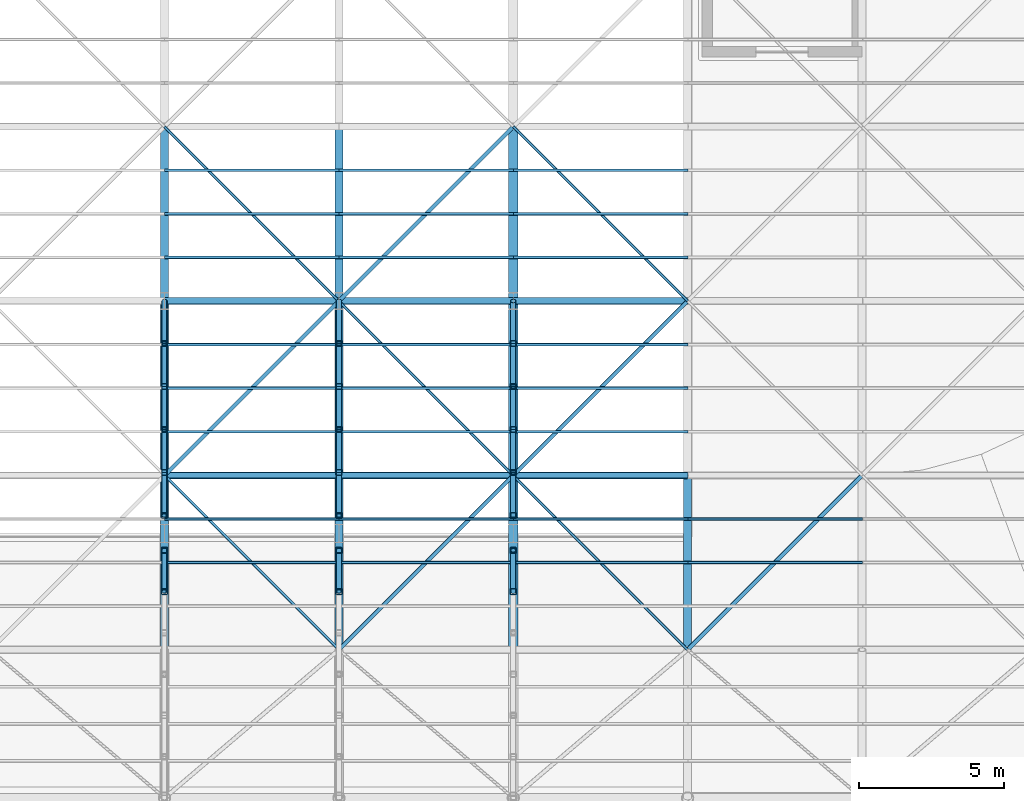
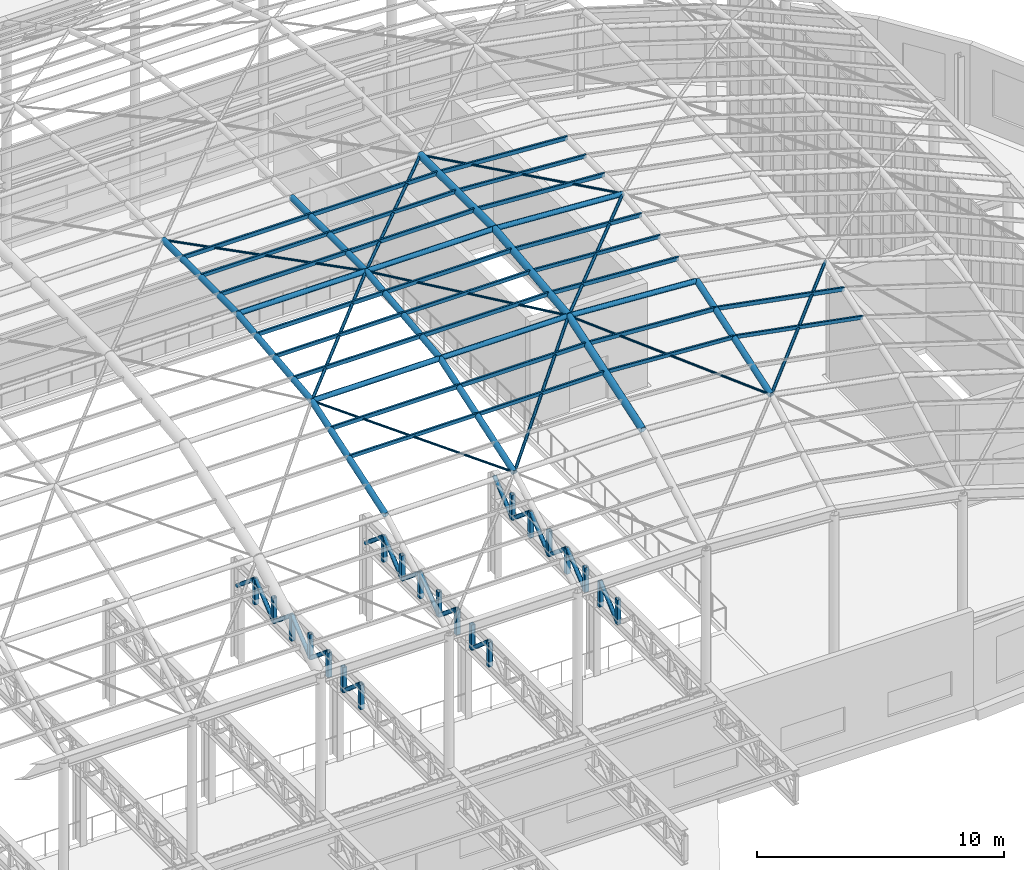
# One storey, part 32 of 75: 91 members.
"""IFC4 building model written with IfcOpenShell, lengths in metres."""

from ifc_helpers import new_model, si_unit, direction, frame, origin, origin_2d, place, context, subcontext, project, spatial, hollow_rectangle, hollow_circle, extrude, material, material_profile, profile_set, type_object, element, save


model = new_model("IFC4")

# Units and contexts
model_context = context("Model", 3, precision=1e-05, world=origin(), true_north=direction((0.0, 1.0)))
body_context = subcontext(model_context, "Body", "Model", "MODEL_VIEW")
ifc_project = project(units=[si_unit("LENGTHUNIT", "METRE"), si_unit("AREAUNIT", "SQUARE_METRE"), si_unit("VOLUMEUNIT", "CUBIC_METRE"), si_unit("PLANEANGLEUNIT", "RADIAN"), si_unit("MASSUNIT", "GRAM", prefix="KILO")], contexts=[model_context])

# Site, building, storey
site_placement = place(None, origin())
site = spatial("IfcSite", under=ifc_project, at=site_placement, CompositionType="ELEMENT")
building_placement = place(site_placement, origin())
building = spatial("IfcBuilding", under=site, at=building_placement, Name="Kolvaren Corner Interchange", CompositionType="ELEMENT")
storey_placement = place(building_placement, frame((0.0, 0.0, 10.5)))
storey = spatial("IfcBuildingStorey", under=building, at=storey_placement, Name="L03", CompositionType="ELEMENT", Elevation=10.5)

# Members
ifc_material_1 = material(Name="Steel S355", Category="steel")
ifc_material_profile_1 = material_profile(ifc_material_1, hollow_circle(Radius=0.05078125, WallThickness=0.00634765625, at=origin_2d()), Name="CHS 101.6x6.3")
ifc_profile_set_1 = profile_set([ifc_material_profile_1], Name="Steel S355")
member_type_1 = type_object("IfcMemberType", Name="MEM-BR-CHS102", PredefinedType="BRACE", material=ifc_profile_set_1)
member_1_placement = place(storey_placement, frame((96.0, 36.0, 16.4130859375), z_axis=(0.688247201612, -0.688247201612, -0.229415733871), x_axis=(0.707106781187, 0.707106781187, 0.0)))
element("IfcMember", 1, at=member_1_placement, inside=storey, type_object=member_type_1, Name="Concourse Translational Gridshell Nodal Diagonal Brace 0066", PredefinedType="BRACE", context=body_context, shape_type="SweptSolid", body=[
    extrude(hollow_circle(Radius=0.05078125, WallThickness=0.00634765625, at=origin_2d()), origin(), (0.0, 0.0, 1.0), 8.7177734375),
])
member_2_placement = place(storey_placement, frame((96.0, 48.0, 17.080078125), z_axis=(0.707106781187, -0.707106781187, 0.0), x_axis=(0.707106781187, 0.707106781187, 0.0)))
element("IfcMember", 2, at=member_2_placement, inside=storey, type_object=member_type_1, Name="Concourse Translational Gridshell Nodal Diagonal Brace 0068", PredefinedType="BRACE", context=body_context, shape_type="SweptSolid", body=[
    extrude(hollow_circle(Radius=0.05078125, WallThickness=0.00634765625, at=origin_2d()), origin(), (0.0, 0.0, 1.0), 8.4853515625),
])
member_3_placement = place(storey_placement, frame((102.0, 42.0, 17.080078125), z_axis=(0.704932292788, -0.704932292788, -0.078364055334), x_axis=(0.707106781187, 0.707106781187, 0.0)))
element("IfcMember", 3, at=member_3_placement, inside=storey, type_object=member_type_1, Name="Concourse Translational Gridshell Nodal Diagonal Brace 0075", PredefinedType="BRACE", context=body_context, shape_type="SweptSolid", body=[
    extrude(hollow_circle(Radius=0.05078125, WallThickness=0.00634765625, at=origin_2d()), origin(), (0.0, 0.0, 1.0), 8.511474609375),
])
member_4_placement = place(storey_placement, frame((108.0, 36.0, 16.4130859375), z_axis=(0.680936695779, -0.680936695779, -0.269537442079), x_axis=(0.707106781187, 0.707106781187, 0.0)))
element("IfcMember", 4, at=member_4_placement, inside=storey, type_object=member_type_1, Name="Concourse Translational Gridshell Nodal Diagonal Brace 0082", PredefinedType="BRACE", context=body_context, shape_type="SweptSolid", body=[
    extrude(hollow_circle(Radius=0.05078125, WallThickness=0.00634765625, at=origin_2d()), origin(), (0.0, 0.0, 1.0), 8.811279296875),
])
member_5_placement = place(storey_placement, frame((108.0, 48.0, 17.080078125), z_axis=(0.706417257101, -0.706417257101, -0.044151078569), x_axis=(0.707106781187, 0.707106781187, 0.0)))
element("IfcMember", 5, at=member_5_placement, inside=storey, type_object=member_type_1, Name="Concourse Translational Gridshell Nodal Diagonal Brace 0084", PredefinedType="BRACE", context=body_context, shape_type="SweptSolid", body=[
    extrude(hollow_circle(Radius=0.05078125, WallThickness=0.00634765625, at=origin_2d()), origin(), (0.0, 0.0, 1.0), 8.49365234375),
])
ifc_material_2 = material(Name="Steel S355", Category="steel")
ifc_material_profile_2 = material_profile(ifc_material_2, hollow_circle(Radius=0.06982421875, WallThickness=0.008056640625, at=origin_2d()), Name="CHS 139.7x8.0")
ifc_profile_set_2 = profile_set([ifc_material_profile_2], Name="Steel S355")
member_type_2 = type_object("IfcMemberType", Name="MEM-BR-CHS140", PredefinedType="BRACE", material=ifc_profile_set_2)
member_6_placement = place(storey_placement, frame((96.0, 36.0, 16.4130859375), z_axis=(0.704932292788, 0.704932292788, 0.078364055334), x_axis=(-0.707106781187, 0.707106781187, 0.0)))
element("IfcMember", 6, at=member_6_placement, inside=storey, type_object=member_type_2, Name="Concourse Translational Gridshell Nodal Diagonal Brace 0067", PredefinedType="BRACE", context=body_context, shape_type="SweptSolid", body=[
    extrude(hollow_circle(Radius=0.06982421875, WallThickness=0.008056640625, at=origin_2d()), origin(), (0.0, 0.0, 1.0), 8.511474609375),
])
member_7_placement = place(storey_placement, frame((102.0, 30.0, 14.4130859375), z_axis=(0.688247201612, 0.688247201612, 0.229415733871), x_axis=(-0.707106781187, 0.707106781187, 0.0)))
element("IfcMember", 7, at=member_7_placement, inside=storey, type_object=member_type_2, Name="Concourse Translational Gridshell Nodal Diagonal Brace 0074", PredefinedType="BRACE", context=body_context, shape_type="SweptSolid", body=[
    extrude(hollow_circle(Radius=0.06982421875, WallThickness=0.008056640625, at=origin_2d()), origin(), (0.0, 0.0, 1.0), 8.7177734375),
])
member_8_placement = place(storey_placement, frame((102.0, 42.0, 17.080078125), z_axis=(0.707106781187, 0.707106781187, 0.0), x_axis=(-0.707106781187, 0.707106781187, 0.0)))
element("IfcMember", 8, at=member_8_placement, inside=storey, type_object=member_type_2, Name="Concourse Translational Gridshell Nodal Diagonal Brace 0076", PredefinedType="BRACE", context=body_context, shape_type="SweptSolid", body=[
    extrude(hollow_circle(Radius=0.06982421875, WallThickness=0.008056640625, at=origin_2d()), origin(), (0.0, 0.0, 1.0), 8.4853515625),
])
member_9_placement = place(storey_placement, frame((108.0, 36.0, 16.4130859375), z_axis=(0.706688489265, 0.706688489265, 0.034391252977), x_axis=(-0.707106781187, 0.707106781187, 0.0)))
element("IfcMember", 9, at=member_9_placement, inside=storey, type_object=member_type_2, Name="Concourse Translational Gridshell Nodal Diagonal Brace 0083", PredefinedType="BRACE", context=body_context, shape_type="SweptSolid", body=[
    extrude(hollow_circle(Radius=0.06982421875, WallThickness=0.008056640625, at=origin_2d()), origin(), (0.0, 0.0, 1.0), 8.490234375),
])
member_10_placement = place(storey_placement, frame((114.0, 30.0, 14.0380859375), z_axis=(0.703376927704, 0.703376927704, 0.102575801957), x_axis=(-0.707106781187, 0.707106781187, 0.0)))
element("IfcMember", 10, at=member_10_placement, inside=storey, type_object=member_type_2, Name="Concourse Translational Gridshell Nodal Diagonal Brace 0090", PredefinedType="BRACE", context=body_context, shape_type="SweptSolid", body=[
    extrude(hollow_circle(Radius=0.06982421875, WallThickness=0.008056640625, at=origin_2d()), origin(), (0.0, 0.0, 1.0), 8.5302734375),
])
ifc_material_3 = material(Name="Steel S355", Category="steel")
ifc_material_profile_3 = material_profile(ifc_material_3, hollow_circle(Radius=0.096923828125, WallThickness=0.010009765625, at=origin_2d()), Name="CHS 193.7x10.0")
ifc_profile_set_3 = profile_set([ifc_material_profile_3], Name="Steel S355")
member_type_3 = type_object("IfcMemberType", Name="MEM-BR-CHS194", PredefinedType="BRACE", material=ifc_profile_set_3)
member_11_placement = place(storey_placement, frame((96.0, 32.0, 4.8701171875), z_axis=(0.0, 0.758427540561, -0.651757367215), x_axis=(-1.0, 0.0, 0.0)))
element("IfcMember", 11, at=member_11_placement, inside=storey, type_object=member_type_3, Name="South Portal Cantilever Roof Truss TOP Line 5 Diagonal 12", PredefinedType="BRACE", context=body_context, shape_type="SweptSolid", body=[
    extrude(hollow_circle(Radius=0.096923828125, WallThickness=0.010009765625, at=origin_2d()), origin(), (0.0, 0.0, 1.0), 1.8720703125),
])
for number, where, z_axis, x_axis, name in (
    (12, (96.0, 34.6201171875, 4.8701171875), (0.0, 0.771570054348, -0.636144363516), (-1.0, 0.0, 0.0), "South Portal Cantilever Roof Truss TOP Line 5 Diagonal 14"),
    (13, (96.0, 36.10009765625, 3.64990234375), (0.0, 0.771570054348, 0.636144363516), (-1.0, 0.0, 0.0), "South Portal Cantilever Roof Truss TOP Line 5 Diagonal 15"),
    (14, (96.0, 37.580078125, 4.8701171875), (0.0, 0.771570054348, -0.636144363516), (-1.0, 0.0, 0.0), "South Portal Cantilever Roof Truss TOP Line 5 Diagonal 16"),
    (15, (96.0, 39.06005859375, 3.64990234375), (0.0, 0.771570054348, 0.636144363516), (-1.0, 0.0, 0.0), "South Portal Cantilever Roof Truss TOP Line 5 Diagonal 17"),
):
    element("IfcMember", number, at=place(storey_placement, frame(where, z_axis=z_axis, x_axis=x_axis)), inside=storey, type_object=member_type_3, Name=name, PredefinedType="BRACE", context=body_context, shape_type="SweptSolid", body=[
        extrude(hollow_circle(Radius=0.096923828125, WallThickness=0.010009765625, at=origin_2d()), origin(), (0.0, 0.0, 1.0), 1.918212890625),
    ])
member_12_placement = place(storey_placement, frame((96.0, 40.5400390625, 4.8701171875), z_axis=(0.0, 0.76729496063, -0.641294350039), x_axis=(-1.0, 0.0, 0.0)))
element("IfcMember", 16, at=member_12_placement, inside=storey, type_object=member_type_3, Name="South Portal Cantilever Roof Truss TOP Line 5 Diagonal 18", PredefinedType="BRACE", context=body_context, shape_type="SweptSolid", body=[
    extrude(hollow_circle(Radius=0.096923828125, WallThickness=0.010009765625, at=origin_2d()), origin(), (0.0, 0.0, 1.0), 1.90283203125),
])
member_13_placement = place(storey_placement, frame((102.0, 32.0, 4.8701171875), z_axis=(0.0, 0.758427540561, -0.651757367215), x_axis=(-1.0, 0.0, 0.0)))
element("IfcMember", 17, at=member_13_placement, inside=storey, type_object=member_type_3, Name="South Portal Cantilever Roof Truss TOP Line 6 Diagonal 12", PredefinedType="BRACE", context=body_context, shape_type="SweptSolid", body=[
    extrude(hollow_circle(Radius=0.096923828125, WallThickness=0.010009765625, at=origin_2d()), origin(), (0.0, 0.0, 1.0), 1.8720703125),
])
for number, where, z_axis, x_axis, name in (
    (18, (102.0, 34.6201171875, 4.8701171875), (0.0, 0.771570054348, -0.636144363516), (-1.0, 0.0, 0.0), "South Portal Cantilever Roof Truss TOP Line 6 Diagonal 14"),
    (19, (102.0, 36.10009765625, 3.64990234375), (0.0, 0.771570054348, 0.636144363516), (-1.0, 0.0, 0.0), "South Portal Cantilever Roof Truss TOP Line 6 Diagonal 15"),
    (20, (102.0, 37.580078125, 4.8701171875), (0.0, 0.771570054348, -0.636144363516), (-1.0, 0.0, 0.0), "South Portal Cantilever Roof Truss TOP Line 6 Diagonal 16"),
    (21, (102.0, 39.06005859375, 3.64990234375), (0.0, 0.771570054348, 0.636144363516), (-1.0, 0.0, 0.0), "South Portal Cantilever Roof Truss TOP Line 6 Diagonal 17"),
):
    element("IfcMember", number, at=place(storey_placement, frame(where, z_axis=z_axis, x_axis=x_axis)), inside=storey, type_object=member_type_3, Name=name, PredefinedType="BRACE", context=body_context, shape_type="SweptSolid", body=[
        extrude(hollow_circle(Radius=0.096923828125, WallThickness=0.010009765625, at=origin_2d()), origin(), (0.0, 0.0, 1.0), 1.918212890625),
    ])
member_14_placement = place(storey_placement, frame((102.0, 40.5400390625, 4.8701171875), z_axis=(0.0, 0.76729496063, -0.641294350039), x_axis=(-1.0, 0.0, 0.0)))
element("IfcMember", 22, at=member_14_placement, inside=storey, type_object=member_type_3, Name="South Portal Cantilever Roof Truss TOP Line 6 Diagonal 18", PredefinedType="BRACE", context=body_context, shape_type="SweptSolid", body=[
    extrude(hollow_circle(Radius=0.096923828125, WallThickness=0.010009765625, at=origin_2d()), origin(), (0.0, 0.0, 1.0), 1.90283203125),
])
member_15_placement = place(storey_placement, frame((108.0, 32.0, 3.64990234375), z_axis=(0.0, 0.758427540561, 0.651757367215), x_axis=(-1.0, 0.0, 0.0)))
element("IfcMember", 23, at=member_15_placement, inside=storey, type_object=member_type_3, Name="South Portal Cantilever Roof Truss TOP Line 7 Diagonal 11", PredefinedType="BRACE", context=body_context, shape_type="SweptSolid", body=[
    extrude(hollow_circle(Radius=0.096923828125, WallThickness=0.010009765625, at=origin_2d()), origin(), (0.0, 0.0, 1.0), 1.8720703125),
])
for number, where, z_axis, x_axis, name in (
    (24, (108.0, 34.6201171875, 3.64990234375), (0.0, 0.771570054348, 0.636144363516), (-1.0, 0.0, 0.0), "South Portal Cantilever Roof Truss TOP Line 7 Diagonal 13"),
    (25, (108.0, 36.10009765625, 4.8701171875), (0.0, 0.771570054348, -0.636144363516), (-1.0, 0.0, 0.0), "South Portal Cantilever Roof Truss TOP Line 7 Diagonal 14"),
    (26, (108.0, 37.580078125, 3.64990234375), (0.0, 0.771570054348, 0.636144363516), (-1.0, 0.0, 0.0), "South Portal Cantilever Roof Truss TOP Line 7 Diagonal 15"),
    (27, (108.0, 39.06005859375, 4.8701171875), (0.0, 0.771570054348, -0.636144363516), (-1.0, 0.0, 0.0), "South Portal Cantilever Roof Truss TOP Line 7 Diagonal 16"),
):
    element("IfcMember", number, at=place(storey_placement, frame(where, z_axis=z_axis, x_axis=x_axis)), inside=storey, type_object=member_type_3, Name=name, PredefinedType="BRACE", context=body_context, shape_type="SweptSolid", body=[
        extrude(hollow_circle(Radius=0.096923828125, WallThickness=0.010009765625, at=origin_2d()), origin(), (0.0, 0.0, 1.0), 1.918212890625),
    ])
member_16_placement = place(storey_placement, frame((108.0, 40.5400390625, 3.64990234375), z_axis=(0.0, 0.76729496063, 0.641294350039), x_axis=(-1.0, 0.0, 0.0)))
element("IfcMember", 28, at=member_16_placement, inside=storey, type_object=member_type_3, Name="South Portal Cantilever Roof Truss TOP Line 7 Diagonal 17", PredefinedType="BRACE", context=body_context, shape_type="SweptSolid", body=[
    extrude(hollow_circle(Radius=0.096923828125, WallThickness=0.010009765625, at=origin_2d()), origin(), (0.0, 0.0, 1.0), 1.90283203125),
])
ifc_material_4 = material(Name="Steel S355", Category="steel")
ifc_material_profile_4 = material_profile(ifc_material_4, hollow_circle(Radius=0.122314453125, WallThickness=0.012451171875, at=origin_2d()), Name="CHS 244.5x12.5")
ifc_profile_set_4 = profile_set([ifc_material_profile_4], Name="Steel S355")
member_type_4 = type_object("IfcMemberType", Name="MEM-CH-CHS245", PredefinedType="CHORD", material=ifc_profile_set_4)
for number, where, z_axis, x_axis, name in (
    (29, (96.0, 36.0, 16.4130859375), (1.0, 0.0, 0.0), (0.0, 1.0, 0.0), "Concourse Translational Gridshell Longitudinal Arch Chord 0127"),
    (30, (102.0, 36.0, 16.4130859375), (1.0, 0.0, 0.0), (0.0, 1.0, 0.0), "Concourse Translational Gridshell Longitudinal Arch Chord 0128"),
):
    element("IfcMember", number, at=place(storey_placement, frame(where, z_axis=z_axis, x_axis=x_axis)), inside=storey, type_object=member_type_4, Name=name, PredefinedType="CHORD", context=body_context, shape_type="SweptSolid", body=[
        extrude(hollow_circle(Radius=0.122314453125, WallThickness=0.012451171875, at=origin_2d()), origin(), (0.0, 0.0, 1.0), 6.0),
    ])
member_17_placement = place(storey_placement, frame((108.0, 36.0, 16.4130859375), z_axis=(0.998052578483, 0.0, -0.062378286155), x_axis=(0.0, 1.0, 0.0)))
element("IfcMember", 31, at=member_17_placement, inside=storey, type_object=member_type_4, Name="Concourse Translational Gridshell Longitudinal Arch Chord 0129", PredefinedType="CHORD", context=body_context, shape_type="SweptSolid", body=[
    extrude(hollow_circle(Radius=0.122314453125, WallThickness=0.012451171875, at=origin_2d()), origin(), (0.0, 0.0, 1.0), 6.01171875),
])
for number, where, z_axis, x_axis, name in (
    (32, (96.0, 42.0, 17.080078125), (1.0, 0.0, 0.0), (0.0, 1.0, 0.0), "Concourse Translational Gridshell Longitudinal Arch Chord 0141"),
    (33, (102.0, 42.0, 17.080078125), (1.0, 0.0, 0.0), (0.0, 1.0, 0.0), "Concourse Translational Gridshell Longitudinal Arch Chord 0142"),
):
    element("IfcMember", number, at=place(storey_placement, frame(where, z_axis=z_axis, x_axis=x_axis)), inside=storey, type_object=member_type_4, Name=name, PredefinedType="CHORD", context=body_context, shape_type="SweptSolid", body=[
        extrude(hollow_circle(Radius=0.122314453125, WallThickness=0.012451171875, at=origin_2d()), origin(), (0.0, 0.0, 1.0), 6.0),
    ])
member_18_placement = place(storey_placement, frame((108.0, 42.0, 17.080078125), z_axis=(0.998052578483, 0.0, -0.062378286155), x_axis=(0.0, 1.0, 0.0)))
element("IfcMember", 34, at=member_18_placement, inside=storey, type_object=member_type_4, Name="Concourse Translational Gridshell Longitudinal Arch Chord 0143", PredefinedType="CHORD", context=body_context, shape_type="SweptSolid", body=[
    extrude(hollow_circle(Radius=0.122314453125, WallThickness=0.012451171875, at=origin_2d()), origin(), (0.0, 0.0, 1.0), 6.01171875),
])
ifc_material_5 = material(Name="Steel S355", Category="steel")
ifc_material_profile_5 = material_profile(ifc_material_5, hollow_circle(Radius=0.136474609375, WallThickness=0.012451171875, at=origin_2d()), Name="CHS 273.0x12.5")
ifc_profile_set_5 = profile_set([ifc_material_profile_5], Name="Steel S355")
member_type_5 = type_object("IfcMemberType", Name="MEM-CH-CHS273", PredefinedType="CHORD", material=ifc_profile_set_5)
member_19_placement = place(storey_placement, frame((96.0, 30.0, 14.4130859375), z_axis=(0.0, 0.948683298051, 0.316227766017), x_axis=(-1.0, 0.0, 0.0)))
element("IfcMember", 35, at=member_19_placement, inside=storey, type_object=member_type_5, Name="Concourse Translational Gridshell Transverse Arch Chord 0058", PredefinedType="CHORD", context=body_context, shape_type="SweptSolid", body=[
    extrude(hollow_circle(Radius=0.136474609375, WallThickness=0.012451171875, at=origin_2d()), origin(), (0.0, 0.0, 1.0), 6.324462890625),
])
member_20_placement = place(storey_placement, frame((96.0, 36.0, 16.4130859375), z_axis=(0.0, 0.993877815052, 0.110484789662), x_axis=(-1.0, 0.0, 0.0)))
element("IfcMember", 36, at=member_20_placement, inside=storey, type_object=member_type_5, Name="Concourse Translational Gridshell Transverse Arch Chord 0059", PredefinedType="CHORD", context=body_context, shape_type="SweptSolid", body=[
    extrude(hollow_circle(Radius=0.136474609375, WallThickness=0.012451171875, at=origin_2d()), origin(), (0.0, 0.0, 1.0), 6.036865234375),
])
member_21_placement = place(storey_placement, frame((96.0, 42.0, 17.080078125), z_axis=(0.0, 1.0, 0.0), x_axis=(-1.0, 0.0, 0.0)))
element("IfcMember", 37, at=member_21_placement, inside=storey, type_object=member_type_5, Name="Concourse Translational Gridshell Transverse Arch Chord 0060", PredefinedType="CHORD", context=body_context, shape_type="SweptSolid", body=[
    extrude(hollow_circle(Radius=0.136474609375, WallThickness=0.012451171875, at=origin_2d()), origin(), (0.0, 0.0, 1.0), 6.0),
])
member_22_placement = place(storey_placement, frame((102.0, 30.0, 14.4130859375), z_axis=(0.0, 0.948683298051, 0.316227766017), x_axis=(-1.0, 0.0, 0.0)))
element("IfcMember", 38, at=member_22_placement, inside=storey, type_object=member_type_5, Name="Concourse Translational Gridshell Transverse Arch Chord 0066", PredefinedType="CHORD", context=body_context, shape_type="SweptSolid", body=[
    extrude(hollow_circle(Radius=0.136474609375, WallThickness=0.012451171875, at=origin_2d()), origin(), (0.0, 0.0, 1.0), 6.324462890625),
])
member_23_placement = place(storey_placement, frame((102.0, 36.0, 16.4130859375), z_axis=(0.0, 0.993877815052, 0.110484789662), x_axis=(-1.0, 0.0, 0.0)))
element("IfcMember", 39, at=member_23_placement, inside=storey, type_object=member_type_5, Name="Concourse Translational Gridshell Transverse Arch Chord 0067", PredefinedType="CHORD", context=body_context, shape_type="SweptSolid", body=[
    extrude(hollow_circle(Radius=0.136474609375, WallThickness=0.012451171875, at=origin_2d()), origin(), (0.0, 0.0, 1.0), 6.036865234375),
])
member_24_placement = place(storey_placement, frame((102.0, 42.0, 17.080078125), z_axis=(0.0, 1.0, 0.0), x_axis=(-1.0, 0.0, 0.0)))
element("IfcMember", 40, at=member_24_placement, inside=storey, type_object=member_type_5, Name="Concourse Translational Gridshell Transverse Arch Chord 0068", PredefinedType="CHORD", context=body_context, shape_type="SweptSolid", body=[
    extrude(hollow_circle(Radius=0.136474609375, WallThickness=0.012451171875, at=origin_2d()), origin(), (0.0, 0.0, 1.0), 6.0),
])
member_25_placement = place(storey_placement, frame((114.0, 30.0, 14.0380859375), z_axis=(0.0, 0.948683298051, 0.316227766017), x_axis=(-1.0, 0.0, 0.0)))
element("IfcMember", 41, at=member_25_placement, inside=storey, type_object=member_type_5, Name="Concourse Translational Gridshell Transverse Arch Chord 0082", PredefinedType="CHORD", context=body_context, shape_type="SweptSolid", body=[
    extrude(hollow_circle(Radius=0.136474609375, WallThickness=0.012451171875, at=origin_2d()), origin(), (0.0, 0.0, 1.0), 6.324462890625),
])
ifc_material_6 = material(Name="Steel S355", Category="steel")
ifc_material_profile_6 = material_profile(ifc_material_6, hollow_circle(Radius=0.161865234375, WallThickness=0.012451171875, at=origin_2d()), Name="CHS 323.9x12.5")
ifc_profile_set_6 = profile_set([ifc_material_profile_6], Name="Steel S355")
member_type_6 = type_object("IfcMemberType", Name="MEM-CH-CHS324", PredefinedType="CHORD", material=ifc_profile_set_6)
member_26_placement = place(storey_placement, frame((108.0, 30.0, 14.4130859375), z_axis=(0.0, 0.948683298051, 0.316227766017), x_axis=(-1.0, 0.0, 0.0)))
element("IfcMember", 42, at=member_26_placement, inside=storey, type_object=member_type_6, Name="Concourse Translational Gridshell Transverse Arch Chord 0074", PredefinedType="CHORD", context=body_context, shape_type="SweptSolid", body=[
    extrude(hollow_circle(Radius=0.161865234375, WallThickness=0.012451171875, at=origin_2d()), origin(), (0.0, 0.0, 1.0), 6.324462890625),
])
member_27_placement = place(storey_placement, frame((108.0, 36.0, 16.4130859375), z_axis=(0.0, 0.993877815052, 0.110484789662), x_axis=(-1.0, 0.0, 0.0)))
element("IfcMember", 43, at=member_27_placement, inside=storey, type_object=member_type_6, Name="Concourse Translational Gridshell Transverse Arch Chord 0075", PredefinedType="CHORD", context=body_context, shape_type="SweptSolid", body=[
    extrude(hollow_circle(Radius=0.161865234375, WallThickness=0.012451171875, at=origin_2d()), origin(), (0.0, 0.0, 1.0), 6.036865234375),
])
member_28_placement = place(storey_placement, frame((108.0, 42.0, 17.080078125), z_axis=(0.0, 1.0, 0.0), x_axis=(-1.0, 0.0, 0.0)))
element("IfcMember", 44, at=member_28_placement, inside=storey, type_object=member_type_6, Name="Concourse Translational Gridshell Transverse Arch Chord 0076", PredefinedType="CHORD", context=body_context, shape_type="SweptSolid", body=[
    extrude(hollow_circle(Radius=0.161865234375, WallThickness=0.012451171875, at=origin_2d()), origin(), (0.0, 0.0, 1.0), 6.0),
])
ifc_material_7 = material(Name="Steel S355", Category="steel")
ifc_material_profile_7 = material_profile(ifc_material_7, hollow_rectangle(XDim=0.10009765625, YDim=0.179931640625, WallThickness=0.008056640625, InnerFilletRadius=0.008056640625, OuterFilletRadius=0.01611328125, at=origin_2d()), Name="RHS 180x100x8.0")
ifc_profile_set_7 = profile_set([ifc_material_profile_7], Name="Steel S355")
member_type_7 = type_object("IfcMemberType", Name="MEM-PR-RHS180", PredefinedType="PURLIN", material=ifc_profile_set_7)
for number, where, z_axis, x_axis, name in (
    (45, (96.0, 33.0, 15.4609375), (1.0, 0.0, 0.0), (0.0, 1.0, 0.0), "Concourse Translational Gridshell Glazing Purlin 0066 Row 2"),
    (46, (96.0, 39.0, 16.79443359375), (1.0, 0.0, 0.0), (0.0, 1.0, 0.0), "Concourse Translational Gridshell Glazing Purlin 0067 Row 2"),
    (47, (96.0, 45.0, 17.1279296875), (1.0, 0.0, 0.0), (0.0, 1.0, 0.0), "Concourse Translational Gridshell Glazing Purlin 0068 Row 2"),
    (48, (102.0, 33.0, 15.4609375), (1.0, 0.0, 0.0), (0.0, 1.0, 0.0), "Concourse Translational Gridshell Glazing Purlin 0074 Row 2"),
    (49, (102.0, 39.0, 16.79443359375), (1.0, 0.0, 0.0), (0.0, 1.0, 0.0), "Concourse Translational Gridshell Glazing Purlin 0075 Row 2"),
    (50, (102.0, 45.0, 17.1279296875), (1.0, 0.0, 0.0), (0.0, 1.0, 0.0), "Concourse Translational Gridshell Glazing Purlin 0076 Row 2"),
):
    element("IfcMember", number, at=place(storey_placement, frame(where, z_axis=z_axis, x_axis=x_axis)), inside=storey, type_object=member_type_7, Name=name, PredefinedType="PURLIN", context=body_context, shape_type="SweptSolid", body=[
        extrude(hollow_rectangle(XDim=0.10009765625, YDim=0.179931640625, WallThickness=0.008056640625, InnerFilletRadius=0.008056640625, OuterFilletRadius=0.01611328125, at=origin_2d()), origin(), (0.0, 0.0, 1.0), 6.0),
    ])
for number, where, z_axis, x_axis, name in (
    (51, (108.0, 33.0, 15.4609375), (0.998052578483, 0.0, -0.062378286155), (0.0, 1.0, 0.0), "Concourse Translational Gridshell Glazing Purlin 0082 Row 2"),
    (52, (108.0, 39.0, 16.79443359375), (0.998052578483, 0.0, -0.062378286155), (0.0, 1.0, 0.0), "Concourse Translational Gridshell Glazing Purlin 0083 Row 2"),
    (53, (108.0, 45.0, 17.1279296875), (0.998052578483, 0.0, -0.062378286155), (0.0, 1.0, 0.0), "Concourse Translational Gridshell Glazing Purlin 0084 Row 2"),
):
    element("IfcMember", number, at=place(storey_placement, frame(where, z_axis=z_axis, x_axis=x_axis)), inside=storey, type_object=member_type_7, Name=name, PredefinedType="PURLIN", context=body_context, shape_type="SweptSolid", body=[
        extrude(hollow_rectangle(XDim=0.10009765625, YDim=0.179931640625, WallThickness=0.008056640625, InnerFilletRadius=0.008056640625, OuterFilletRadius=0.01611328125, at=origin_2d()), origin(), (0.0, 0.0, 1.0), 6.01171875),
    ])
member_29_placement = place(storey_placement, frame((114.0, 33.0, 15.0859375), z_axis=(0.982872186934, 0.0, -0.18428853505), x_axis=(0.0, 1.0, 0.0)))
element("IfcMember", 54, at=member_29_placement, inside=storey, type_object=member_type_7, Name="Concourse Translational Gridshell Glazing Purlin 0090 Row 2", PredefinedType="PURLIN", context=body_context, shape_type="SweptSolid", body=[
    extrude(hollow_rectangle(XDim=0.10009765625, YDim=0.179931640625, WallThickness=0.008056640625, InnerFilletRadius=0.008056640625, OuterFilletRadius=0.01611328125, at=origin_2d()), origin(), (0.0, 0.0, 1.0), 6.1044921875),
])
ifc_material_8 = material(Name="Steel S355", Category="steel")
ifc_material_profile_8 = material_profile(ifc_material_8, hollow_rectangle(XDim=0.10009765625, YDim=0.199951171875, WallThickness=0.008056640625, InnerFilletRadius=0.008056640625, OuterFilletRadius=0.01611328125, at=origin_2d()), Name="RHS 200x100x8.0")
ifc_profile_set_8 = profile_set([ifc_material_profile_8], Name="Steel S355")
member_type_8 = type_object("IfcMemberType", Name="MEM-PR-RHS200", PredefinedType="PURLIN", material=ifc_profile_set_8)
for number, where, z_axis, x_axis, name in (
    (55, (96.0, 34.5, 15.950927734375), (1.0, 0.0, 0.0), (0.0, 1.0, 0.0), "Concourse Translational Gridshell Glazing Purlin 0066 Row 3"),
    (56, (96.0, 37.5, 16.61767578125), (1.0, 0.0, 0.0), (0.0, 1.0, 0.0), "Concourse Translational Gridshell Glazing Purlin 0067 Row 1"),
    (57, (96.0, 40.5, 16.951171875), (1.0, 0.0, 0.0), (0.0, 1.0, 0.0), "Concourse Translational Gridshell Glazing Purlin 0067 Row 3"),
    (58, (96.0, 43.5, 17.117919921875), (1.0, 0.0, 0.0), (0.0, 1.0, 0.0), "Concourse Translational Gridshell Glazing Purlin 0068 Row 1"),
    (59, (96.0, 46.5, 17.117919921875), (1.0, 0.0, 0.0), (0.0, 1.0, 0.0), "Concourse Translational Gridshell Glazing Purlin 0068 Row 3"),
    (60, (102.0, 34.5, 15.950927734375), (1.0, 0.0, 0.0), (0.0, 1.0, 0.0), "Concourse Translational Gridshell Glazing Purlin 0074 Row 3"),
    (61, (102.0, 37.5, 16.61767578125), (1.0, 0.0, 0.0), (0.0, 1.0, 0.0), "Concourse Translational Gridshell Glazing Purlin 0075 Row 1"),
    (62, (102.0, 40.5, 16.951171875), (1.0, 0.0, 0.0), (0.0, 1.0, 0.0), "Concourse Translational Gridshell Glazing Purlin 0075 Row 3"),
    (63, (102.0, 43.5, 17.117919921875), (1.0, 0.0, 0.0), (0.0, 1.0, 0.0), "Concourse Translational Gridshell Glazing Purlin 0076 Row 1"),
    (64, (102.0, 46.5, 17.117919921875), (1.0, 0.0, 0.0), (0.0, 1.0, 0.0), "Concourse Translational Gridshell Glazing Purlin 0076 Row 3"),
):
    element("IfcMember", number, at=place(storey_placement, frame(where, z_axis=z_axis, x_axis=x_axis)), inside=storey, type_object=member_type_8, Name=name, PredefinedType="PURLIN", context=body_context, shape_type="SweptSolid", body=[
        extrude(hollow_rectangle(XDim=0.10009765625, YDim=0.199951171875, WallThickness=0.008056640625, InnerFilletRadius=0.008056640625, OuterFilletRadius=0.01611328125, at=origin_2d()), origin(), (0.0, 0.0, 1.0), 6.0),
    ])
for number, where, z_axis, x_axis, name in (
    (65, (108.0, 34.5, 15.950927734375), (0.998052578483, 0.0, -0.062378286155), (0.0, 1.0, 0.0), "Concourse Translational Gridshell Glazing Purlin 0082 Row 3"),
    (66, (108.0, 37.5, 16.61767578125), (0.998052578483, 0.0, -0.062378286155), (0.0, 1.0, 0.0), "Concourse Translational Gridshell Glazing Purlin 0083 Row 1"),
    (67, (108.0, 40.5, 16.951171875), (0.998052578483, 0.0, -0.062378286155), (0.0, 1.0, 0.0), "Concourse Translational Gridshell Glazing Purlin 0083 Row 3"),
    (68, (108.0, 43.5, 17.117919921875), (0.998052578483, 0.0, -0.062378286155), (0.0, 1.0, 0.0), "Concourse Translational Gridshell Glazing Purlin 0084 Row 1"),
    (69, (108.0, 46.5, 17.117919921875), (0.998052578483, 0.0, -0.062378286155), (0.0, 1.0, 0.0), "Concourse Translational Gridshell Glazing Purlin 0084 Row 3"),
):
    element("IfcMember", number, at=place(storey_placement, frame(where, z_axis=z_axis, x_axis=x_axis)), inside=storey, type_object=member_type_8, Name=name, PredefinedType="PURLIN", context=body_context, shape_type="SweptSolid", body=[
        extrude(hollow_rectangle(XDim=0.10009765625, YDim=0.199951171875, WallThickness=0.008056640625, InnerFilletRadius=0.008056640625, OuterFilletRadius=0.01611328125, at=origin_2d()), origin(), (0.0, 0.0, 1.0), 6.01171875),
    ])
member_30_placement = place(storey_placement, frame((114.0, 34.5, 15.575927734375), z_axis=(0.982872186934, 0.0, -0.18428853505), x_axis=(0.0, 1.0, 0.0)))
element("IfcMember", 70, at=member_30_placement, inside=storey, type_object=member_type_8, Name="Concourse Translational Gridshell Glazing Purlin 0090 Row 3", PredefinedType="PURLIN", context=body_context, shape_type="SweptSolid", body=[
    extrude(hollow_rectangle(XDim=0.10009765625, YDim=0.199951171875, WallThickness=0.008056640625, InnerFilletRadius=0.008056640625, OuterFilletRadius=0.01611328125, at=origin_2d()), origin(), (0.0, 0.0, 1.0), 6.1044921875),
])
ifc_material_9 = material(Name="Steel S355", Category="steel")
ifc_material_profile_9 = material_profile(ifc_material_9, hollow_rectangle(XDim=0.199951171875, YDim=0.199951171875, WallThickness=0.010009765625, InnerFilletRadius=0.010009765625, OuterFilletRadius=0.02001953125, at=origin_2d()), Name="SHS 200x200x10.0")
ifc_profile_set_9 = profile_set([ifc_material_profile_9], Name="Steel S355")
member_type_9 = type_object("IfcMemberType", Name="MEM-PT-SHS200", PredefinedType="POST", material=ifc_profile_set_9)
for number, where, z_axis, x_axis, name in (
    (71, (96.0, 32.0, 3.64990234375), (0.0, 0.0, 1.0), (1.0, 0.0, 0.0), "South Portal Cantilever Roof Truss TOP Line 5 Web Post 12"),
    (72, (96.0, 33.419921875, 3.64990234375), (0.0, 0.0, 1.0), (1.0, 0.0, 0.0), "South Portal Cantilever Roof Truss TOP Line 5 Web Post 13"),
    (73, (96.0, 34.6201171875, 3.64990234375), (0.0, 0.0, 1.0), (1.0, 0.0, 0.0), "South Portal Cantilever Roof Truss TOP Line 5 Web Post 14"),
    (74, (96.0, 36.10009765625, 3.64990234375), (0.0, 0.0, 1.0), (1.0, 0.0, 0.0), "South Portal Cantilever Roof Truss TOP Line 5 Web Post 15"),
    (75, (96.0, 37.580078125, 3.64990234375), (0.0, 0.0, 1.0), (1.0, 0.0, 0.0), "South Portal Cantilever Roof Truss TOP Line 5 Web Post 16"),
    (76, (96.0, 39.06005859375, 3.64990234375), (0.0, 0.0, 1.0), (1.0, 0.0, 0.0), "South Portal Cantilever Roof Truss TOP Line 5 Web Post 17"),
    (77, (96.0, 40.5400390625, 3.64990234375), (0.0, 0.0, 1.0), (1.0, 0.0, 0.0), "South Portal Cantilever Roof Truss TOP Line 5 Web Post 18"),
    (78, (102.0, 32.0, 3.64990234375), (0.0, 0.0, 1.0), (1.0, 0.0, 0.0), "South Portal Cantilever Roof Truss TOP Line 6 Web Post 12"),
    (79, (102.0, 33.419921875, 3.64990234375), (0.0, 0.0, 1.0), (1.0, 0.0, 0.0), "South Portal Cantilever Roof Truss TOP Line 6 Web Post 13"),
    (80, (102.0, 34.6201171875, 3.64990234375), (0.0, 0.0, 1.0), (1.0, 0.0, 0.0), "South Portal Cantilever Roof Truss TOP Line 6 Web Post 14"),
    (81, (102.0, 36.10009765625, 3.64990234375), (0.0, 0.0, 1.0), (1.0, 0.0, 0.0), "South Portal Cantilever Roof Truss TOP Line 6 Web Post 15"),
    (82, (102.0, 37.580078125, 3.64990234375), (0.0, 0.0, 1.0), (1.0, 0.0, 0.0), "South Portal Cantilever Roof Truss TOP Line 6 Web Post 16"),
    (83, (102.0, 39.06005859375, 3.64990234375), (0.0, 0.0, 1.0), (1.0, 0.0, 0.0), "South Portal Cantilever Roof Truss TOP Line 6 Web Post 17"),
    (84, (102.0, 40.5400390625, 3.64990234375), (0.0, 0.0, 1.0), (1.0, 0.0, 0.0), "South Portal Cantilever Roof Truss TOP Line 6 Web Post 18"),
    (85, (108.0, 32.0, 3.64990234375), (0.0, 0.0, 1.0), (1.0, 0.0, 0.0), "South Portal Cantilever Roof Truss TOP Line 7 Web Post 11"),
    (86, (108.0, 33.419921875, 3.64990234375), (0.0, 0.0, 1.0), (1.0, 0.0, 0.0), "South Portal Cantilever Roof Truss TOP Line 7 Web Post 12"),
    (87, (108.0, 34.6201171875, 3.64990234375), (0.0, 0.0, 1.0), (1.0, 0.0, 0.0), "South Portal Cantilever Roof Truss TOP Line 7 Web Post 13"),
    (88, (108.0, 36.10009765625, 3.64990234375), (0.0, 0.0, 1.0), (1.0, 0.0, 0.0), "South Portal Cantilever Roof Truss TOP Line 7 Web Post 14"),
    (89, (108.0, 37.580078125, 3.64990234375), (0.0, 0.0, 1.0), (1.0, 0.0, 0.0), "South Portal Cantilever Roof Truss TOP Line 7 Web Post 15"),
    (90, (108.0, 39.06005859375, 3.64990234375), (0.0, 0.0, 1.0), (1.0, 0.0, 0.0), "South Portal Cantilever Roof Truss TOP Line 7 Web Post 16"),
    (91, (108.0, 40.5400390625, 3.64990234375), (0.0, 0.0, 1.0), (1.0, 0.0, 0.0), "South Portal Cantilever Roof Truss TOP Line 7 Web Post 17"),
):
    element("IfcMember", number, at=place(storey_placement, frame(where, z_axis=z_axis, x_axis=x_axis)), inside=storey, type_object=member_type_9, Name=name, PredefinedType="POST", context=body_context, shape_type="SweptSolid", body=[
        extrude(hollow_rectangle(XDim=0.199951171875, YDim=0.199951171875, WallThickness=0.010009765625, InnerFilletRadius=0.010009765625, OuterFilletRadius=0.02001953125, at=origin_2d()), origin(), (0.0, 0.0, 1.0), 1.22021484375),
    ])

save(model, "model.ifc")
